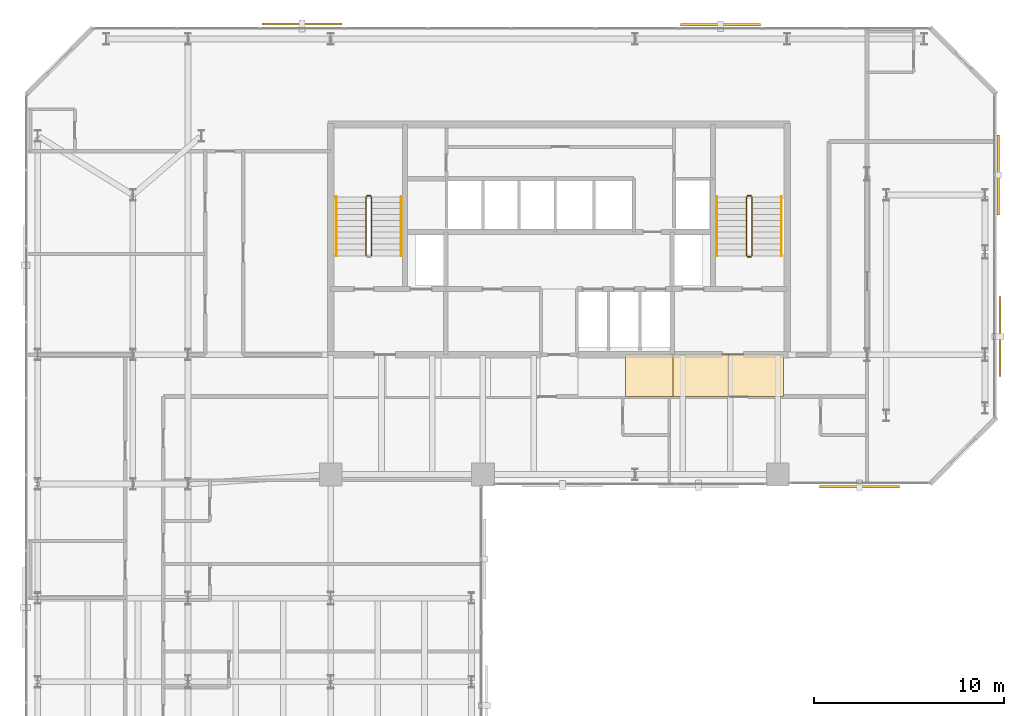
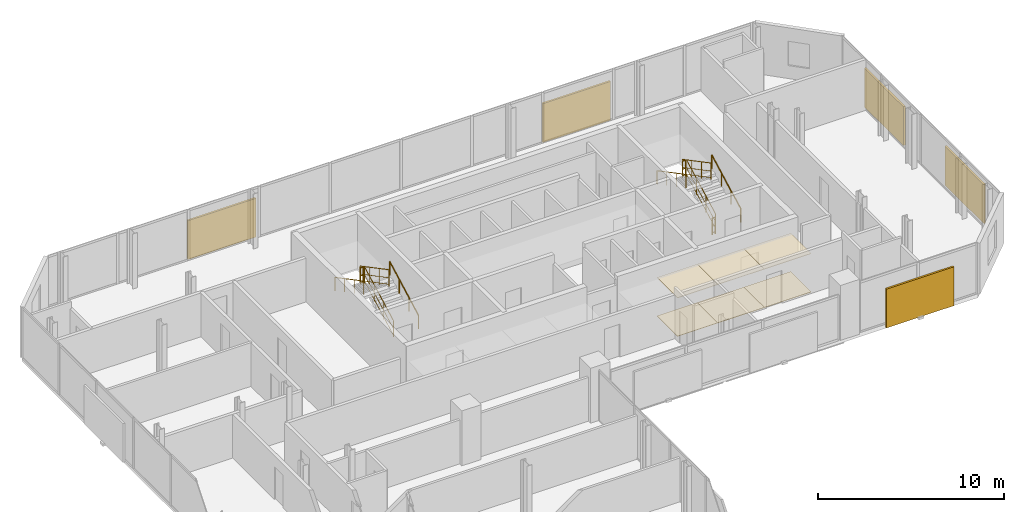
# One storey, part 32 of 32: 11 railings, 6 coverings, 5 shading devices.
"""IFC4 building model written with IfcOpenShell, lengths in metres."""

from ifc_helpers import new_model, si_unit, direction, frame, origin, origin_2d, place, context, subcontext, project, spatial, polyline, rectangle, circle, outline, extrude, material, layer, layer_set, type_object, element, save


model = new_model("IFC4")

# Units and contexts
model_context = context("Model", 3, precision=1e-05, world=origin(), true_north=direction((0.0, 1.0)))
body_context = subcontext(model_context, "Body", "Model", "MODEL_VIEW")
ifc_project = project(units=[si_unit("LENGTHUNIT", "METRE"), si_unit("AREAUNIT", "SQUARE_METRE"), si_unit("VOLUMEUNIT", "CUBIC_METRE"), si_unit("PLANEANGLEUNIT", "RADIAN"), si_unit("MASSUNIT", "GRAM", prefix="KILO")], contexts=[model_context])

# Site, building, storey
site_placement = place(None, origin())
site = spatial("IfcSite", under=ifc_project, at=site_placement, CompositionType="ELEMENT")
building_placement = place(site_placement, origin())
building = spatial("IfcBuilding", under=site, at=building_placement, Name="Catumbela Crestline Tower", CompositionType="ELEMENT")
storey_placement = place(building_placement, frame((0.0, 0.0, 126.0)))
storey = spatial("IfcBuildingStorey", under=building, at=storey_placement, Name="L32", CompositionType="ELEMENT", Elevation=126.0)

# Coverings
ifc_material_1 = material(Name="Mineral-fibre acoustic ceiling")
ifc_layer_1 = layer(ifc_material_1, 0.03, Name="Mineral-fibre acoustic ceiling")
ifc_layer_set_1 = layer_set([ifc_layer_1], Name="Mineral-fibre acoustic ceiling")
covering_type_1 = type_object("IfcCoveringType", Name="CC-AC", PredefinedType="CEILING", material=ifc_layer_set_1)
covering_1_placement = place(storey_placement, frame((0.0, 0.0, 2.52)))
element("IfcCovering", 1, at=covering_1_placement, inside=storey, type_object=covering_type_1, Name="L32 Corridor Acoustic Ceiling Bay 6", PredefinedType="CEILING", context=body_context, shape_type="SweptSolid", body=[
    extrude(outline(polyline([(31.5, 28.6), (34.0, 28.6), (34.0, 30.8), (31.5, 30.8), (31.5, 28.6)])), origin(), (0.0, 0.0, 1.0), 0.03),
])
covering_2_placement = place(storey_placement, frame((0.0, 0.0, 2.52)))
element("IfcCovering", 2, at=covering_2_placement, inside=storey, type_object=covering_type_1, Name="L32 Corridor Acoustic Ceiling Bay 7", PredefinedType="CEILING", context=body_context, shape_type="SweptSolid", body=[
    extrude(outline(polyline([(34.0, 28.6), (36.9, 28.6), (36.9, 30.8), (34.0, 30.8), (34.0, 28.6)])), origin(), (0.0, 0.0, 1.0), 0.03),
])
covering_3_placement = place(storey_placement, frame((0.0, 0.0, 2.52)))
element("IfcCovering", 3, at=covering_3_placement, inside=storey, type_object=covering_type_1, Name="L32 Corridor Acoustic Ceiling Bay 8", PredefinedType="CEILING", context=body_context, shape_type="SweptSolid", body=[
    extrude(outline(polyline([(36.9, 28.6), (39.8, 28.6), (39.8, 30.8), (36.9, 30.8), (36.9, 28.6)])), origin(), (0.0, 0.0, 1.0), 0.03),
])
ifc_material_2 = material(Name="Angolan grey-ochre granite", Category="masonry")
ifc_layer_2 = layer(ifc_material_2, 0.025, Name="Angolan grey-ochre granite")
ifc_layer_set_2 = layer_set([ifc_layer_2], Name="Angolan grey-ochre granite")
covering_type_2 = type_object("IfcCoveringType", Name="CF-GR", PredefinedType="FLOORING", material=ifc_layer_set_2)
covering_4_placement = place(storey_placement, origin())
element("IfcCovering", 4, at=covering_4_placement, inside=storey, type_object=covering_type_2, Name="L32 Corridor Granite Flooring Bay 6", PredefinedType="FLOORING", context=body_context, shape_type="SweptSolid", body=[
    extrude(outline(polyline([(31.5, 28.6), (34.0, 28.6), (34.0, 30.8), (31.5, 30.8), (31.5, 28.6)])), origin(), (0.0, 0.0, 1.0), 0.025),
])
covering_5_placement = place(storey_placement, origin())
element("IfcCovering", 5, at=covering_5_placement, inside=storey, type_object=covering_type_2, Name="L32 Corridor Granite Flooring Bay 7", PredefinedType="FLOORING", context=body_context, shape_type="SweptSolid", body=[
    extrude(outline(polyline([(34.0, 28.6), (36.9, 28.6), (36.9, 30.8), (34.0, 30.8), (34.0, 28.6)])), origin(), (0.0, 0.0, 1.0), 0.025),
])
covering_6_placement = place(storey_placement, origin())
element("IfcCovering", 6, at=covering_6_placement, inside=storey, type_object=covering_type_2, Name="L32 Corridor Granite Flooring Bay 8", PredefinedType="FLOORING", context=body_context, shape_type="SweptSolid", body=[
    extrude(outline(polyline([(36.9, 28.6), (39.8, 28.6), (39.8, 30.8), (36.9, 30.8), (36.9, 28.6)])), origin(), (0.0, 0.0, 1.0), 0.025),
])

# Railings
ifc_material_3 = material(Name="Stainless steel EN 1.4401", Category="steel")
railing_type_1 = type_object("IfcRailingType", Name="RG-1100", PredefinedType="GUARDRAIL", material=ifc_material_3)
railing_1_placement = place(storey_placement, frame((18.14, 36.0, 0.1636)))
element("IfcRailing", 7, at=railing_1_placement, inside=storey, type_object=railing_type_1, Name="L32 ST-01 stair guard 1", PredefinedType="GUARDRAIL", context=body_context, shape_type="SweptSolid", body=[
    extrude(circle(Radius=0.024, at=origin_2d()), frame((0.0, 0.0, 1.076), z_axis=(0.0, 0.884350731049, 0.466823076222), x_axis=(-1.0, 0.0, 0.0)), (0.0, 0.0, 1.0), 3.5054),
    extrude(circle(Radius=0.0156, at=origin_2d()), frame((0.0, 0.0, 0.55), z_axis=(0.0, 0.884350731049, 0.466823076222), x_axis=(-1.0, 0.0, 0.0)), (0.0, 0.0, 1.0), 3.5054),
    extrude(circle(Radius=0.0156, at=origin_2d()), frame((0.0, 0.0, 0.12), z_axis=(0.0, 0.884350731049, 0.466823076222), x_axis=(-1.0, 0.0, 0.0)), (0.0, 0.0, 1.0), 3.5054),
    extrude(circle(Radius=0.021, at=origin_2d()), origin(), (0.0, 0.0, 1.0), 1.052),
    extrude(circle(Radius=0.021, at=origin_2d()), frame((0.0, 1.0333, 0.5455)), (0.0, 0.0, 1.0), 1.052),
    extrude(circle(Radius=0.021, at=origin_2d()), frame((0.0, 2.0667, 1.0909)), (0.0, 0.0, 1.0), 1.052),
    extrude(circle(Radius=0.021, at=origin_2d()), frame((0.0, 3.1, 1.6364)), (0.0, 0.0, 1.0), 1.052),
])
railing_2_placement = place(storey_placement, frame((18.09, 39.15, 1.8)))
element("IfcRailing", 8, at=railing_2_placement, inside=storey, type_object=railing_type_1, Name="L32 ST-01 stair guard 2", PredefinedType="GUARDRAIL", context=body_context, shape_type="SweptSolid", body=[
    extrude(circle(Radius=0.024, at=origin_2d()), frame((0.0, 0.0, 1.076), z_axis=(-1.0, 0.0, 0.0), x_axis=(0.0, -1.0, 0.0)), (0.0, 0.0, 1.0), 0.18),
    extrude(circle(Radius=0.0156, at=origin_2d()), frame((0.0, 0.0, 0.55), z_axis=(-1.0, 0.0, 0.0), x_axis=(0.0, -1.0, 0.0)), (0.0, 0.0, 1.0), 0.18),
    extrude(circle(Radius=0.0156, at=origin_2d()), frame((0.0, 0.0, 0.12), z_axis=(-1.0, 0.0, 0.0), x_axis=(0.0, -1.0, 0.0)), (0.0, 0.0, 1.0), 0.18),
    extrude(circle(Radius=0.021, at=origin_2d()), origin(), (0.0, 0.0, 1.0), 1.052),
    extrude(circle(Radius=0.021, at=origin_2d()), frame((-0.18, 0.0, 0.0)), (0.0, 0.0, 1.0), 1.052),
])
railing_3_placement = place(storey_placement, frame((17.86, 39.1, 1.9636)))
element("IfcRailing", 9, at=railing_3_placement, inside=storey, type_object=railing_type_1, Name="L32 ST-01 stair guard 3", PredefinedType="GUARDRAIL", context=body_context, shape_type="SweptSolid", body=[
    extrude(circle(Radius=0.024, at=origin_2d()), frame((0.0, 0.0, 1.076), z_axis=(0.0, -0.884350731049, 0.466823076222), x_axis=(1.0, 0.0, 0.0)), (0.0, 0.0, 1.0), 3.5054),
    extrude(circle(Radius=0.0156, at=origin_2d()), frame((0.0, 0.0, 0.55), z_axis=(0.0, -0.884350731049, 0.466823076222), x_axis=(1.0, 0.0, 0.0)), (0.0, 0.0, 1.0), 3.5054),
    extrude(circle(Radius=0.0156, at=origin_2d()), frame((0.0, 0.0, 0.12), z_axis=(0.0, -0.884350731049, 0.466823076222), x_axis=(1.0, 0.0, 0.0)), (0.0, 0.0, 1.0), 3.5054),
    extrude(circle(Radius=0.021, at=origin_2d()), origin(), (0.0, 0.0, 1.0), 1.052),
    extrude(circle(Radius=0.021, at=origin_2d()), frame((0.0, -1.0333, 0.5455)), (0.0, 0.0, 1.0), 1.052),
    extrude(circle(Radius=0.021, at=origin_2d()), frame((0.0, -2.0667, 1.0909)), (0.0, 0.0, 1.0), 1.052),
    extrude(circle(Radius=0.021, at=origin_2d()), frame((0.0, -3.1, 1.6364)), (0.0, 0.0, 1.0), 1.052),
])
railing_4_placement = place(storey_placement, frame((38.14, 36.0, 0.1636)))
element("IfcRailing", 10, at=railing_4_placement, inside=storey, type_object=railing_type_1, Name="L32 ST-02 stair guard 1", PredefinedType="GUARDRAIL", context=body_context, shape_type="SweptSolid", body=[
    extrude(circle(Radius=0.024, at=origin_2d()), frame((0.0, 0.0, 1.076), z_axis=(0.0, 0.884350731049, 0.466823076222), x_axis=(-1.0, 0.0, 0.0)), (0.0, 0.0, 1.0), 3.5054),
    extrude(circle(Radius=0.0156, at=origin_2d()), frame((0.0, 0.0, 0.55), z_axis=(0.0, 0.884350731049, 0.466823076222), x_axis=(-1.0, 0.0, 0.0)), (0.0, 0.0, 1.0), 3.5054),
    extrude(circle(Radius=0.0156, at=origin_2d()), frame((0.0, 0.0, 0.12), z_axis=(0.0, 0.884350731049, 0.466823076222), x_axis=(-1.0, 0.0, 0.0)), (0.0, 0.0, 1.0), 3.5054),
    extrude(circle(Radius=0.021, at=origin_2d()), origin(), (0.0, 0.0, 1.0), 1.052),
    extrude(circle(Radius=0.021, at=origin_2d()), frame((0.0, 1.0333, 0.5455)), (0.0, 0.0, 1.0), 1.052),
    extrude(circle(Radius=0.021, at=origin_2d()), frame((0.0, 2.0667, 1.0909)), (0.0, 0.0, 1.0), 1.052),
    extrude(circle(Radius=0.021, at=origin_2d()), frame((0.0, 3.1, 1.6364)), (0.0, 0.0, 1.0), 1.052),
])
railing_5_placement = place(storey_placement, frame((38.09, 39.15, 1.8)))
element("IfcRailing", 11, at=railing_5_placement, inside=storey, type_object=railing_type_1, Name="L32 ST-02 stair guard 2", PredefinedType="GUARDRAIL", context=body_context, shape_type="SweptSolid", body=[
    extrude(circle(Radius=0.024, at=origin_2d()), frame((0.0, 0.0, 1.076), z_axis=(-1.0, 0.0, 0.0), x_axis=(0.0, -1.0, 0.0)), (0.0, 0.0, 1.0), 0.18),
    extrude(circle(Radius=0.0156, at=origin_2d()), frame((0.0, 0.0, 0.55), z_axis=(-1.0, 0.0, 0.0), x_axis=(0.0, -1.0, 0.0)), (0.0, 0.0, 1.0), 0.18),
    extrude(circle(Radius=0.0156, at=origin_2d()), frame((0.0, 0.0, 0.12), z_axis=(-1.0, 0.0, 0.0), x_axis=(0.0, -1.0, 0.0)), (0.0, 0.0, 1.0), 0.18),
    extrude(circle(Radius=0.021, at=origin_2d()), origin(), (0.0, 0.0, 1.0), 1.052),
    extrude(circle(Radius=0.021, at=origin_2d()), frame((-0.18, 0.0, 0.0)), (0.0, 0.0, 1.0), 1.052),
])
railing_6_placement = place(storey_placement, frame((37.86, 39.1, 1.9636)))
element("IfcRailing", 12, at=railing_6_placement, inside=storey, type_object=railing_type_1, Name="L32 ST-02 stair guard 3", PredefinedType="GUARDRAIL", context=body_context, shape_type="SweptSolid", body=[
    extrude(circle(Radius=0.024, at=origin_2d()), frame((0.0, 0.0, 1.076), z_axis=(0.0, -0.884350731049, 0.466823076222), x_axis=(1.0, 0.0, 0.0)), (0.0, 0.0, 1.0), 3.5054),
    extrude(circle(Radius=0.0156, at=origin_2d()), frame((0.0, 0.0, 0.55), z_axis=(0.0, -0.884350731049, 0.466823076222), x_axis=(1.0, 0.0, 0.0)), (0.0, 0.0, 1.0), 3.5054),
    extrude(circle(Radius=0.0156, at=origin_2d()), frame((0.0, 0.0, 0.12), z_axis=(0.0, -0.884350731049, 0.466823076222), x_axis=(1.0, 0.0, 0.0)), (0.0, 0.0, 1.0), 3.5054),
    extrude(circle(Radius=0.021, at=origin_2d()), origin(), (0.0, 0.0, 1.0), 1.052),
    extrude(circle(Radius=0.021, at=origin_2d()), frame((0.0, -1.0333, 0.5455)), (0.0, 0.0, 1.0), 1.052),
    extrude(circle(Radius=0.021, at=origin_2d()), frame((0.0, -2.0667, 1.0909)), (0.0, 0.0, 1.0), 1.052),
    extrude(circle(Radius=0.021, at=origin_2d()), frame((0.0, -3.1, 1.6364)), (0.0, 0.0, 1.0), 1.052),
])
railing_7_placement = place(storey_placement, frame((38.09, 35.95, 0.0)))
element("IfcRailing", 13, at=railing_7_placement, inside=storey, type_object=railing_type_1, Name="L32 ST-02 stair guard 4", PredefinedType="GUARDRAIL", context=body_context, shape_type="SweptSolid", body=[
    extrude(circle(Radius=0.024, at=origin_2d()), frame((0.0, 0.0, 1.076), z_axis=(-1.0, 0.0, 0.0), x_axis=(0.0, -1.0, 0.0)), (0.0, 0.0, 1.0), 0.18),
    extrude(circle(Radius=0.0156, at=origin_2d()), frame((0.0, 0.0, 0.55), z_axis=(-1.0, 0.0, 0.0), x_axis=(0.0, -1.0, 0.0)), (0.0, 0.0, 1.0), 0.18),
    extrude(circle(Radius=0.0156, at=origin_2d()), frame((0.0, 0.0, 0.12), z_axis=(-1.0, 0.0, 0.0), x_axis=(0.0, -1.0, 0.0)), (0.0, 0.0, 1.0), 0.18),
    extrude(circle(Radius=0.021, at=origin_2d()), origin(), (0.0, 0.0, 1.0), 1.052),
    extrude(circle(Radius=0.021, at=origin_2d()), frame((-0.18, 0.0, 0.0)), (0.0, 0.0, 1.0), 1.052),
])
railing_type_2 = type_object("IfcRailingType", Name="RH-0900", PredefinedType="HANDRAIL", material=ifc_material_3)
railing_8_placement = place(storey_placement, frame((19.7, 36.0, 0.1636)))
element("IfcRailing", 14, at=railing_8_placement, inside=storey, type_object=railing_type_2, Name="L32 ST-01 stair handrail 1", PredefinedType="HANDRAIL", context=body_context, shape_type="SweptSolid", body=[
    extrude(circle(Radius=0.024, at=origin_2d()), frame((0.0, 0.0, 0.876), z_axis=(0.0, 0.884350731049, 0.466823076222), x_axis=(-1.0, 0.0, 0.0)), (0.0, 0.0, 1.0), 3.5054),
    extrude(circle(Radius=0.021, at=origin_2d()), origin(), (0.0, 0.0, 1.0), 0.852),
    extrude(circle(Radius=0.021, at=origin_2d()), frame((0.0, 1.0333, 0.5455)), (0.0, 0.0, 1.0), 0.852),
    extrude(circle(Radius=0.021, at=origin_2d()), frame((0.0, 2.0667, 1.0909)), (0.0, 0.0, 1.0), 0.852),
    extrude(circle(Radius=0.021, at=origin_2d()), frame((0.0, 3.1, 1.6364)), (0.0, 0.0, 1.0), 0.852),
])
railing_9_placement = place(storey_placement, frame((16.3, 39.1, 1.9636)))
element("IfcRailing", 15, at=railing_9_placement, inside=storey, type_object=railing_type_2, Name="L32 ST-01 stair handrail 2", PredefinedType="HANDRAIL", context=body_context, shape_type="SweptSolid", body=[
    extrude(circle(Radius=0.024, at=origin_2d()), frame((0.0, 0.0, 0.876), z_axis=(0.0, -0.884350731049, 0.466823076222), x_axis=(1.0, 0.0, 0.0)), (0.0, 0.0, 1.0), 3.5054),
    extrude(circle(Radius=0.021, at=origin_2d()), origin(), (0.0, 0.0, 1.0), 0.852),
    extrude(circle(Radius=0.021, at=origin_2d()), frame((0.0, -1.0333, 0.5455)), (0.0, 0.0, 1.0), 0.852),
    extrude(circle(Radius=0.021, at=origin_2d()), frame((0.0, -2.0667, 1.0909)), (0.0, 0.0, 1.0), 0.852),
    extrude(circle(Radius=0.021, at=origin_2d()), frame((0.0, -3.1, 1.6364)), (0.0, 0.0, 1.0), 0.852),
])
railing_10_placement = place(storey_placement, frame((39.7, 36.0, 0.1636)))
element("IfcRailing", 16, at=railing_10_placement, inside=storey, type_object=railing_type_2, Name="L32 ST-02 stair handrail 1", PredefinedType="HANDRAIL", context=body_context, shape_type="SweptSolid", body=[
    extrude(circle(Radius=0.024, at=origin_2d()), frame((0.0, 0.0, 0.876), z_axis=(0.0, 0.884350731049, 0.466823076222), x_axis=(-1.0, 0.0, 0.0)), (0.0, 0.0, 1.0), 3.5054),
    extrude(circle(Radius=0.021, at=origin_2d()), origin(), (0.0, 0.0, 1.0), 0.852),
    extrude(circle(Radius=0.021, at=origin_2d()), frame((0.0, 1.0333, 0.5455)), (0.0, 0.0, 1.0), 0.852),
    extrude(circle(Radius=0.021, at=origin_2d()), frame((0.0, 2.0667, 1.0909)), (0.0, 0.0, 1.0), 0.852),
    extrude(circle(Radius=0.021, at=origin_2d()), frame((0.0, 3.1, 1.6364)), (0.0, 0.0, 1.0), 0.852),
])
railing_11_placement = place(storey_placement, frame((36.3, 39.1, 1.9636)))
element("IfcRailing", 17, at=railing_11_placement, inside=storey, type_object=railing_type_2, Name="L32 ST-02 stair handrail 2", PredefinedType="HANDRAIL", context=body_context, shape_type="SweptSolid", body=[
    extrude(circle(Radius=0.024, at=origin_2d()), frame((0.0, 0.0, 0.876), z_axis=(0.0, -0.884350731049, 0.466823076222), x_axis=(1.0, 0.0, 0.0)), (0.0, 0.0, 1.0), 3.5054),
    extrude(circle(Radius=0.021, at=origin_2d()), origin(), (0.0, 0.0, 1.0), 0.852),
    extrude(circle(Radius=0.021, at=origin_2d()), frame((0.0, -1.0333, 0.5455)), (0.0, 0.0, 1.0), 0.852),
    extrude(circle(Radius=0.021, at=origin_2d()), frame((0.0, -2.0667, 1.0909)), (0.0, 0.0, 1.0), 0.852),
    extrude(circle(Radius=0.021, at=origin_2d()), frame((0.0, -3.1, 1.6364)), (0.0, 0.0, 1.0), 0.852),
])

# Shading devices
ifc_material_4 = material(Name="Extruded terracotta ceramic", Category="masonry")
shading_device_type_1 = type_object("IfcShadingDeviceType", Name="ST-180", PredefinedType="USERDEFINED", material=ifc_material_4)
shading_device_placement = place(storey_placement, frame((51.099, 40.25, -0.1), z_axis=(0.0, 0.0, 1.0), x_axis=(0.0, 1.0, 0.0)))
element("IfcShadingDevice", 18, at=shading_device_placement, inside=storey, type_object=shading_device_type_1, Name="L32 Perforated Terracotta Solar Screen 349 (180 mm)", ObjectType="SCREEN", PredefinedType="USERDEFINED", context=body_context, shape_type="SweptSolid", body=[
    extrude(rectangle(XDim=4.2, YDim=0.12, at=origin_2d()), origin(), (0.0, 0.0, 1.0), 2.55),
])
shading_device_type_2 = type_object("IfcShadingDeviceType", Name="ST-260", PredefinedType="USERDEFINED", material=ifc_material_4)
for number, where, z_axis, x_axis, name in (
    (19, (43.8, 23.857, -0.1), (0.0, 0.0, 1.0), (1.0, 0.0, 0.0), "L32 Perforated Terracotta Solar Screen 347 (260 mm)"),
    (20, (36.5, 48.143, -0.1), (0.0, 0.0, 1.0), (-1.0, 0.0, 0.0), "L32 Perforated Terracotta Solar Screen 350 (260 mm)"),
):
    element("IfcShadingDevice", number, at=place(storey_placement, frame(where, z_axis=z_axis, x_axis=x_axis)), inside=storey, type_object=shading_device_type_2, Name=name, ObjectType="SCREEN", PredefinedType="USERDEFINED", context=body_context, shape_type="SweptSolid", body=[
        extrude(rectangle(XDim=4.2, YDim=0.12, at=origin_2d()), origin(), (0.0, 0.0, 1.0), 2.55),
    ])
shading_device_type_3 = type_object("IfcShadingDeviceType", Name="ST-340", PredefinedType="USERDEFINED", material=ifc_material_4)
for number, where, z_axis, x_axis, name in (
    (21, (51.187, 31.75, -0.1), (0.0, 0.0, 1.0), (0.0, 1.0, 0.0), "L32 Perforated Terracotta Solar Screen 348 (340 mm)"),
    (22, (14.5, 48.187, -0.1), (0.0, 0.0, 1.0), (-1.0, 0.0, 0.0), "L32 Perforated Terracotta Solar Screen 351 (340 mm)"),
):
    element("IfcShadingDevice", number, at=place(storey_placement, frame(where, z_axis=z_axis, x_axis=x_axis)), inside=storey, type_object=shading_device_type_3, Name=name, ObjectType="SCREEN", PredefinedType="USERDEFINED", context=body_context, shape_type="SweptSolid", body=[
        extrude(rectangle(XDim=4.2, YDim=0.12, at=origin_2d()), origin(), (0.0, 0.0, 1.0), 2.55),
    ])

save(model, "model.ifc")
